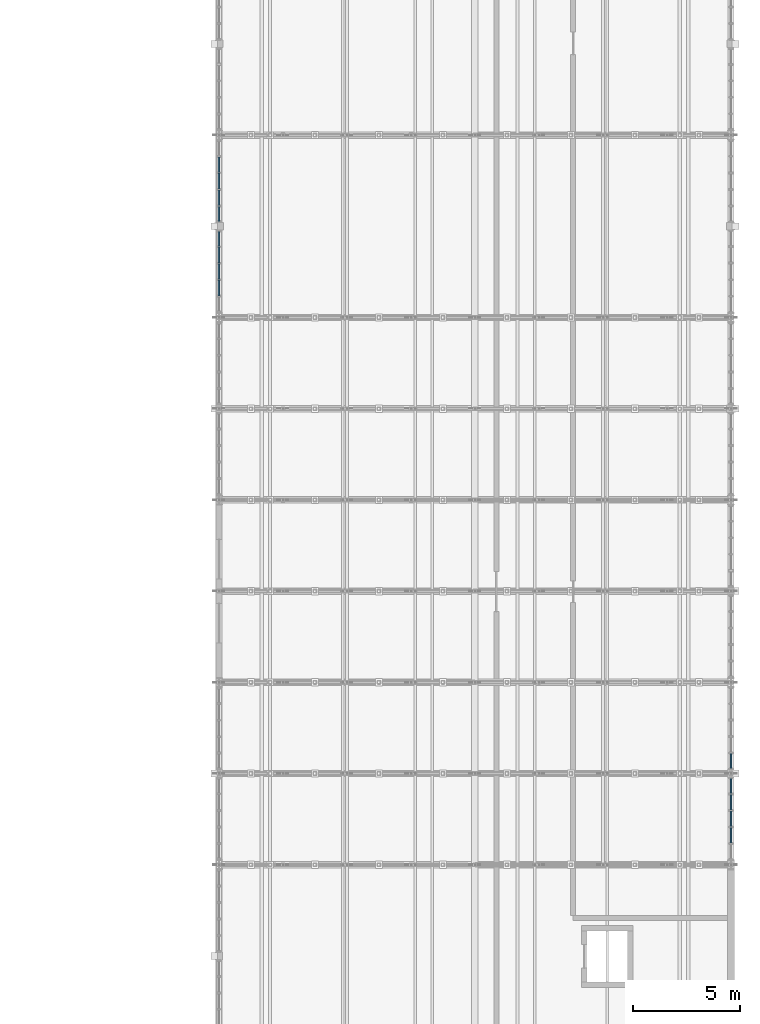
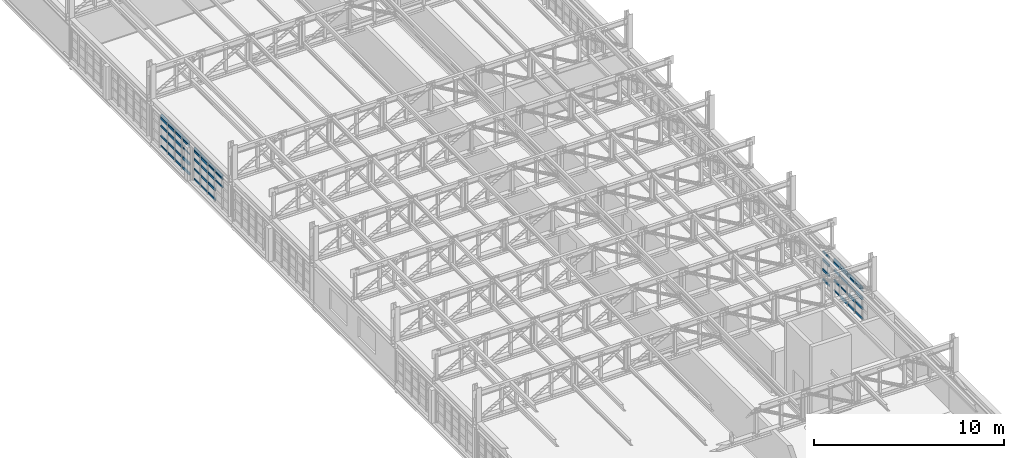
# One storey, part 78 of 128: 62 members, 4 elements without a shape of their own.
"""IFC4 building model written with IfcOpenShell, lengths in metres."""

from ifc_helpers import new_model, si_unit, direction, frame, origin, origin_2d, place, context, subcontext, project, spatial, rectangle, extrude, material, material_profile, profile_set, type_object, element, aggregate, save


model = new_model("IFC4")

# Units and contexts
model_context = context("Model", 3, precision=1e-05, world=origin(), true_north=direction((0.0, 1.0)))
body_context = subcontext(model_context, "Body", "Model", "MODEL_VIEW")
ifc_project = project(units=[si_unit("LENGTHUNIT", "METRE"), si_unit("AREAUNIT", "SQUARE_METRE"), si_unit("VOLUMEUNIT", "CUBIC_METRE"), si_unit("PLANEANGLEUNIT", "RADIAN"), si_unit("MASSUNIT", "GRAM", prefix="KILO")], contexts=[model_context])

# Site, building, storey
site_placement = place(None, origin())
site = spatial("IfcSite", under=ifc_project, at=site_placement, CompositionType="ELEMENT")
building_placement = place(site_placement, origin())
building = spatial("IfcBuilding", under=site, at=building_placement, Name="Serraforn Aerial Cableway Station", CompositionType="ELEMENT")
storey_placement = place(building_placement, frame((0.0, 0.0, 9.0)))
storey = spatial("IfcBuildingStorey", under=building, at=storey_placement, Name="L02", CompositionType="ELEMENT", Elevation=9.0)

# Curtain wall, members
ifc_material_1 = material(Name="Anodised bronze unitised curtain wall")
curtain_wall_type_1 = type_object("IfcCurtainWallType", Name="CW-SYS-27", PredefinedType="USERDEFINED", material=ifc_material_1)
curtain_wall_1_placement = place(storey_placement, origin())
curtain_wall_1 = element("IfcCurtainWall", 1, at=curtain_wall_1_placement, inside=storey, type_object=curtain_wall_type_1, Name="Unitised Curtain Wall CW-EG-L02-E3A", ObjectType="UNITISED CURTAIN WALL", PredefinedType="USERDEFINED")
ifc_material_2 = material(Name="Anodised bronze extruded aluminium", Category="aluminium")
ifc_material_profile_1 = material_profile(ifc_material_2, rectangle(XDim=0.054931640625, YDim=0.110107421875, at=origin_2d()), Name="CW TRANSOM 55x110")
ifc_profile_set_1 = profile_set([ifc_material_profile_1], Name="Anodised bronze extruded aluminium")
member_type_1 = type_object("IfcMemberType", Name="CW-TRN-1", PredefinedType="USERDEFINED", material=ifc_profile_set_1)
member_1_placement = place(storey_placement, frame((168.0, 63.725341796875, 1.865478515625), z_axis=(0.0, 1.0, 0.0), x_axis=(-1.0, 0.0, 0.0)))
member_1 = element("IfcMember", 2, at=member_1_placement, type_object=member_type_1, Name="Curtain Wall Transom CW-EG-L02-E3A-T2-4", ObjectType="TRANSOM", PredefinedType="USERDEFINED", context=body_context, shape_type="SweptSolid", body=[
    extrude(rectangle(XDim=0.054931640625, YDim=0.110107421875, at=origin_2d()), origin(), (0.0, 0.0, 1.0), 0.716064453125),
])
member_2_placement = place(storey_placement, frame((168.0, 64.502197265625, 1.356689453125), z_axis=(0.0, 1.0, 0.0), x_axis=(-1.0, 0.0, 0.0)))
member_2 = element("IfcMember", 3, at=member_2_placement, type_object=member_type_1, Name="Curtain Wall Transom CW-EG-L02-E3A-T3-3", ObjectType="TRANSOM", PredefinedType="USERDEFINED", context=body_context, shape_type="SweptSolid", body=[
    extrude(rectangle(XDim=0.054931640625, YDim=0.110107421875, at=origin_2d()), origin(), (0.0, 0.0, 1.0), 0.7109375),
])
member_3_placement = place(storey_placement, frame((168.0, 65.279296875, 0.720703125), z_axis=(0.0, 1.0, 0.0), x_axis=(-1.0, 0.0, 0.0)))
member_3 = element("IfcMember", 4, at=member_3_placement, type_object=member_type_1, Name="Curtain Wall Transom CW-EG-L02-E3A-T4-2", ObjectType="TRANSOM", PredefinedType="USERDEFINED", context=body_context, shape_type="SweptSolid", body=[
    extrude(rectangle(XDim=0.054931640625, YDim=0.110107421875, at=origin_2d()), origin(), (0.0, 0.0, 1.0), 0.705810546875),
])
member_4_placement = place(storey_placement, frame((168.0, 66.05615234375, 0.084716796875), z_axis=(0.0, 1.0, 0.0), x_axis=(-1.0, 0.0, 0.0)))
member_4 = element("IfcMember", 5, at=member_4_placement, type_object=member_type_1, Name="Curtain Wall Transom CW-EG-L02-E3A-T5-1", ObjectType="TRANSOM", PredefinedType="USERDEFINED", context=body_context, shape_type="SweptSolid", body=[
    extrude(rectangle(XDim=0.054931640625, YDim=0.110107421875, at=origin_2d()), origin(), (0.0, 0.0, 1.0), 0.685791015625),
])

# Curtain wall, member
curtain_wall_type_2 = type_object("IfcCurtainWallType", Name="CW-SYS-28", PredefinedType="USERDEFINED", material=ifc_material_1)
curtain_wall_2_placement = place(storey_placement, origin())
curtain_wall_2 = element("IfcCurtainWall", 6, at=curtain_wall_2_placement, inside=storey, type_object=curtain_wall_type_2, Name="Unitised Curtain Wall CW-EG-L02-E3B", ObjectType="UNITISED CURTAIN WALL", PredefinedType="USERDEFINED")
member_5_placement = place(storey_placement, frame((168.0, 67.212890625, 1.865478515625), z_axis=(0.0, 1.0, 0.0), x_axis=(-1.0, 0.0, 0.0)))
member_5 = element("IfcMember", 7, at=member_5_placement, type_object=member_type_1, Name="Curtain Wall Transom CW-EG-L02-E3B-T1-4", ObjectType="TRANSOM", PredefinedType="USERDEFINED", context=body_context, shape_type="SweptSolid", body=[
    extrude(rectangle(XDim=0.054931640625, YDim=0.110107421875, at=origin_2d()), origin(), (0.0, 0.0, 1.0), 0.68603515625),
])

# Curtain wall, members
curtain_wall_type_3 = type_object("IfcCurtainWallType", Name="CW-SYS-7", PredefinedType="USERDEFINED", material=ifc_material_1)
curtain_wall_3_placement = place(storey_placement, origin())
curtain_wall_3 = element("IfcCurtainWall", 8, at=curtain_wall_3_placement, inside=storey, type_object=curtain_wall_type_3, Name="Unitised Curtain Wall CW-EG-L02-W6A", ObjectType="UNITISED CURTAIN WALL", PredefinedType="USERDEFINED")
member_6_placement = place(storey_placement, frame((144.0, 95.8671875, 0.084716796875), z_axis=(0.0, -1.0, 0.0), x_axis=(1.0, 0.0, 0.0)))
member_6 = element("IfcMember", 9, at=member_6_placement, type_object=member_type_1, Name="Curtain Wall Transom CW-EG-L02-W6A-T2-1", ObjectType="TRANSOM", PredefinedType="USERDEFINED", context=body_context, shape_type="SweptSolid", body=[
    extrude(rectangle(XDim=0.054931640625, YDim=0.110107421875, at=origin_2d()), origin(), (0.0, 0.0, 1.0), 0.71337890625),
])
member_7_placement = place(storey_placement, frame((144.0, 95.102783203125, 2.03515625), z_axis=(0.0, -1.0, 0.0), x_axis=(1.0, 0.0, 0.0)))
member_7 = element("IfcMember", 10, at=member_7_placement, type_object=member_type_1, Name="Curtain Wall Transom CW-EG-L02-W6A-T3-5", ObjectType="TRANSOM", PredefinedType="USERDEFINED", context=body_context, shape_type="SweptSolid", body=[
    extrude(rectangle(XDim=0.054931640625, YDim=0.110107421875, at=origin_2d()), origin(), (0.0, 0.0, 1.0), 0.720947265625),
])
member_8_placement = place(storey_placement, frame((144.0, 94.32568359375, 1.865478515625), z_axis=(0.0, -1.0, 0.0), x_axis=(1.0, 0.0, 0.0)))
member_8 = element("IfcMember", 11, at=member_8_placement, type_object=member_type_1, Name="Curtain Wall Transom CW-EG-L02-W6A-T4-4", ObjectType="TRANSOM", PredefinedType="USERDEFINED", context=body_context, shape_type="SweptSolid", body=[
    extrude(rectangle(XDim=0.054931640625, YDim=0.110107421875, at=origin_2d()), origin(), (0.0, 0.0, 1.0), 0.7158203125),
])
member_9_placement = place(storey_placement, frame((144.0, 93.548828125, 1.356689453125), z_axis=(0.0, -1.0, 0.0), x_axis=(1.0, 0.0, 0.0)))
member_9 = element("IfcMember", 12, at=member_9_placement, type_object=member_type_1, Name="Curtain Wall Transom CW-EG-L02-W6A-T5-3", ObjectType="TRANSOM", PredefinedType="USERDEFINED", context=body_context, shape_type="SweptSolid", body=[
    extrude(rectangle(XDim=0.054931640625, YDim=0.110107421875, at=origin_2d()), origin(), (0.0, 0.0, 1.0), 0.67578125),
])

curtain_wall_type_4 = type_object("IfcCurtainWallType", Name="CW-SYS-8", PredefinedType="USERDEFINED", material=ifc_material_1)
curtain_wall_4_placement = place(storey_placement, origin())
curtain_wall_4 = element("IfcCurtainWall", 13, at=curtain_wall_4_placement, inside=storey, type_object=curtain_wall_type_4, Name="Unitised Curtain Wall CW-EG-L02-W6B", ObjectType="UNITISED CURTAIN WALL", PredefinedType="USERDEFINED")
member_10_placement = place(storey_placement, frame((144.0, 92.3720703125, 0.084716796875), z_axis=(0.0, -1.0, 0.0), x_axis=(1.0, 0.0, 0.0)))
member_10 = element("IfcMember", 14, at=member_10_placement, type_object=member_type_1, Name="Curtain Wall Transom CW-EG-L02-W6B-T1-1", ObjectType="TRANSOM", PredefinedType="USERDEFINED", context=body_context, shape_type="SweptSolid", body=[
    extrude(rectangle(XDim=0.054931640625, YDim=0.110107421875, at=origin_2d()), origin(), (0.0, 0.0, 1.0), 0.676025390625),
])
member_11_placement = place(storey_placement, frame((144.0, 91.64501953125, 2.03515625), z_axis=(0.0, -1.0, 0.0), x_axis=(1.0, 0.0, 0.0)))
member_11 = element("IfcMember", 15, at=member_11_placement, type_object=member_type_1, Name="Curtain Wall Transom CW-EG-L02-W6B-T2-5", ObjectType="TRANSOM", PredefinedType="USERDEFINED", context=body_context, shape_type="SweptSolid", body=[
    extrude(rectangle(XDim=0.054931640625, YDim=0.110107421875, at=origin_2d()), origin(), (0.0, 0.0, 1.0), 0.720703125),
])
member_12_placement = place(storey_placement, frame((144.0, 90.8681640625, 1.865478515625), z_axis=(0.0, -1.0, 0.0), x_axis=(1.0, 0.0, 0.0)))
member_12 = element("IfcMember", 16, at=member_12_placement, type_object=member_type_1, Name="Curtain Wall Transom CW-EG-L02-W6B-T3-4", ObjectType="TRANSOM", PredefinedType="USERDEFINED", context=body_context, shape_type="SweptSolid", body=[
    extrude(rectangle(XDim=0.054931640625, YDim=0.110107421875, at=origin_2d()), origin(), (0.0, 0.0, 1.0), 0.7158203125),
])
member_13_placement = place(storey_placement, frame((144.0, 90.09130859375, 1.356689453125), z_axis=(0.0, -1.0, 0.0), x_axis=(1.0, 0.0, 0.0)))
member_13 = element("IfcMember", 17, at=member_13_placement, type_object=member_type_1, Name="Curtain Wall Transom CW-EG-L02-W6B-T4-3", ObjectType="TRANSOM", PredefinedType="USERDEFINED", context=body_context, shape_type="SweptSolid", body=[
    extrude(rectangle(XDim=0.054931640625, YDim=0.110107421875, at=origin_2d()), origin(), (0.0, 0.0, 1.0), 0.7109375),
])

# Member
ifc_material_profile_2 = material_profile(ifc_material_2, rectangle(XDim=0.06005859375, YDim=0.1201171875, at=origin_2d()), Name="CW TRANSOM 60x120")
ifc_profile_set_2 = profile_set([ifc_material_profile_2], Name="Anodised bronze extruded aluminium")
member_type_2 = type_object("IfcMemberType", Name="CW-TRN-2", PredefinedType="USERDEFINED", material=ifc_profile_set_2)
member_14_placement = place(storey_placement, frame((168.0, 63.725341796875, 2.03515625), z_axis=(0.0, 1.0, 0.0), x_axis=(-1.0, 0.0, 0.0)))
member_14 = element("IfcMember", 18, at=member_14_placement, type_object=member_type_2, Name="Curtain Wall Transom CW-EG-L02-E3A-T2-5", ObjectType="TRANSOM", PredefinedType="USERDEFINED", context=body_context, shape_type="SweptSolid", body=[
    extrude(rectangle(XDim=0.06005859375, YDim=0.1201171875, at=origin_2d()), origin(), (0.0, 0.0, 1.0), 0.716064453125),
])

member_15_placement = place(storey_placement, frame((168.0, 64.502197265625, 1.865478515625), z_axis=(0.0, 1.0, 0.0), x_axis=(-1.0, 0.0, 0.0)))
member_15 = element("IfcMember", 19, at=member_15_placement, type_object=member_type_2, Name="Curtain Wall Transom CW-EG-L02-E3A-T3-4", ObjectType="TRANSOM", PredefinedType="USERDEFINED", context=body_context, shape_type="SweptSolid", body=[
    extrude(rectangle(XDim=0.06005859375, YDim=0.1201171875, at=origin_2d()), origin(), (0.0, 0.0, 1.0), 0.7109375),
])

member_16_placement = place(storey_placement, frame((168.0, 65.279296875, 1.356689453125), z_axis=(0.0, 1.0, 0.0), x_axis=(-1.0, 0.0, 0.0)))
member_16 = element("IfcMember", 20, at=member_16_placement, type_object=member_type_2, Name="Curtain Wall Transom CW-EG-L02-E3A-T4-3", ObjectType="TRANSOM", PredefinedType="USERDEFINED", context=body_context, shape_type="SweptSolid", body=[
    extrude(rectangle(XDim=0.06005859375, YDim=0.1201171875, at=origin_2d()), origin(), (0.0, 0.0, 1.0), 0.705810546875),
])

member_17_placement = place(storey_placement, frame((168.0, 66.05615234375, 0.720703125), z_axis=(0.0, 1.0, 0.0), x_axis=(-1.0, 0.0, 0.0)))
member_17 = element("IfcMember", 21, at=member_17_placement, type_object=member_type_2, Name="Curtain Wall Transom CW-EG-L02-E3A-T5-2", ObjectType="TRANSOM", PredefinedType="USERDEFINED", context=body_context, shape_type="SweptSolid", body=[
    extrude(rectangle(XDim=0.06005859375, YDim=0.1201171875, at=origin_2d()), origin(), (0.0, 0.0, 1.0), 0.685791015625),
])

member_18_placement = place(storey_placement, frame((144.0, 95.8671875, 0.720703125), z_axis=(0.0, -1.0, 0.0), x_axis=(1.0, 0.0, 0.0)))
member_18 = element("IfcMember", 22, at=member_18_placement, type_object=member_type_2, Name="Curtain Wall Transom CW-EG-L02-W6A-T2-2", ObjectType="TRANSOM", PredefinedType="USERDEFINED", context=body_context, shape_type="SweptSolid", body=[
    extrude(rectangle(XDim=0.06005859375, YDim=0.1201171875, at=origin_2d()), origin(), (0.0, 0.0, 1.0), 0.71337890625),
])

member_19_placement = place(storey_placement, frame((144.0, 95.102783203125, 0.084716796875), z_axis=(0.0, -1.0, 0.0), x_axis=(1.0, 0.0, 0.0)))
member_19 = element("IfcMember", 23, at=member_19_placement, type_object=member_type_2, Name="Curtain Wall Transom CW-EG-L02-W6A-T3-1", ObjectType="TRANSOM", PredefinedType="USERDEFINED", context=body_context, shape_type="SweptSolid", body=[
    extrude(rectangle(XDim=0.06005859375, YDim=0.1201171875, at=origin_2d()), origin(), (0.0, 0.0, 1.0), 0.720947265625),
])

member_20_placement = place(storey_placement, frame((144.0, 94.32568359375, 2.03515625), z_axis=(0.0, -1.0, 0.0), x_axis=(1.0, 0.0, 0.0)))
member_20 = element("IfcMember", 24, at=member_20_placement, type_object=member_type_2, Name="Curtain Wall Transom CW-EG-L02-W6A-T4-5", ObjectType="TRANSOM", PredefinedType="USERDEFINED", context=body_context, shape_type="SweptSolid", body=[
    extrude(rectangle(XDim=0.06005859375, YDim=0.1201171875, at=origin_2d()), origin(), (0.0, 0.0, 1.0), 0.7158203125),
])

member_21_placement = place(storey_placement, frame((144.0, 93.548828125, 1.865478515625), z_axis=(0.0, -1.0, 0.0), x_axis=(1.0, 0.0, 0.0)))
member_21 = element("IfcMember", 25, at=member_21_placement, type_object=member_type_2, Name="Curtain Wall Transom CW-EG-L02-W6A-T5-4", ObjectType="TRANSOM", PredefinedType="USERDEFINED", context=body_context, shape_type="SweptSolid", body=[
    extrude(rectangle(XDim=0.06005859375, YDim=0.1201171875, at=origin_2d()), origin(), (0.0, 0.0, 1.0), 0.67578125),
])

member_22_placement = place(storey_placement, frame((144.0, 92.3720703125, 0.720703125), z_axis=(0.0, -1.0, 0.0), x_axis=(1.0, 0.0, 0.0)))
member_22 = element("IfcMember", 26, at=member_22_placement, type_object=member_type_2, Name="Curtain Wall Transom CW-EG-L02-W6B-T1-2", ObjectType="TRANSOM", PredefinedType="USERDEFINED", context=body_context, shape_type="SweptSolid", body=[
    extrude(rectangle(XDim=0.06005859375, YDim=0.1201171875, at=origin_2d()), origin(), (0.0, 0.0, 1.0), 0.676025390625),
])

member_23_placement = place(storey_placement, frame((144.0, 91.64501953125, 0.084716796875), z_axis=(0.0, -1.0, 0.0), x_axis=(1.0, 0.0, 0.0)))
member_23 = element("IfcMember", 27, at=member_23_placement, type_object=member_type_2, Name="Curtain Wall Transom CW-EG-L02-W6B-T2-1", ObjectType="TRANSOM", PredefinedType="USERDEFINED", context=body_context, shape_type="SweptSolid", body=[
    extrude(rectangle(XDim=0.06005859375, YDim=0.1201171875, at=origin_2d()), origin(), (0.0, 0.0, 1.0), 0.720703125),
])

member_24_placement = place(storey_placement, frame((144.0, 90.8681640625, 2.03515625), z_axis=(0.0, -1.0, 0.0), x_axis=(1.0, 0.0, 0.0)))
member_24 = element("IfcMember", 28, at=member_24_placement, type_object=member_type_2, Name="Curtain Wall Transom CW-EG-L02-W6B-T3-5", ObjectType="TRANSOM", PredefinedType="USERDEFINED", context=body_context, shape_type="SweptSolid", body=[
    extrude(rectangle(XDim=0.06005859375, YDim=0.1201171875, at=origin_2d()), origin(), (0.0, 0.0, 1.0), 0.7158203125),
])

member_25_placement = place(storey_placement, frame((144.0, 90.09130859375, 1.865478515625), z_axis=(0.0, -1.0, 0.0), x_axis=(1.0, 0.0, 0.0)))
member_25 = element("IfcMember", 29, at=member_25_placement, type_object=member_type_2, Name="Curtain Wall Transom CW-EG-L02-W6B-T4-4", ObjectType="TRANSOM", PredefinedType="USERDEFINED", context=body_context, shape_type="SweptSolid", body=[
    extrude(rectangle(XDim=0.06005859375, YDim=0.1201171875, at=origin_2d()), origin(), (0.0, 0.0, 1.0), 0.7109375),
])

ifc_material_profile_3 = material_profile(ifc_material_2, rectangle(XDim=0.06494140625, YDim=0.135009765625, at=origin_2d()), Name="CW TRANSOM 65x135")
ifc_profile_set_3 = profile_set([ifc_material_profile_3], Name="Anodised bronze extruded aluminium")
member_type_3 = type_object("IfcMemberType", Name="CW-TRN-3", PredefinedType="USERDEFINED", material=ifc_profile_set_3)
member_26_placement = place(storey_placement, frame((168.0, 63.725341796875, 0.084716796875), z_axis=(0.0, 1.0, 0.0), x_axis=(-1.0, 0.0, 0.0)))
member_26 = element("IfcMember", 30, at=member_26_placement, type_object=member_type_3, Name="Curtain Wall Transom CW-EG-L02-E3A-T2-1", ObjectType="TRANSOM", PredefinedType="USERDEFINED", context=body_context, shape_type="SweptSolid", body=[
    extrude(rectangle(XDim=0.06494140625, YDim=0.135009765625, at=origin_2d()), origin(), (0.0, 0.0, 1.0), 0.716064453125),
])

member_27_placement = place(storey_placement, frame((168.0, 64.502197265625, 2.03515625), z_axis=(0.0, 1.0, 0.0), x_axis=(-1.0, 0.0, 0.0)))
member_27 = element("IfcMember", 31, at=member_27_placement, type_object=member_type_3, Name="Curtain Wall Transom CW-EG-L02-E3A-T3-5", ObjectType="TRANSOM", PredefinedType="USERDEFINED", context=body_context, shape_type="SweptSolid", body=[
    extrude(rectangle(XDim=0.06494140625, YDim=0.135009765625, at=origin_2d()), origin(), (0.0, 0.0, 1.0), 0.7109375),
])

member_28_placement = place(storey_placement, frame((168.0, 65.279296875, 1.865478515625), z_axis=(0.0, 1.0, 0.0), x_axis=(-1.0, 0.0, 0.0)))
member_28 = element("IfcMember", 32, at=member_28_placement, type_object=member_type_3, Name="Curtain Wall Transom CW-EG-L02-E3A-T4-4", ObjectType="TRANSOM", PredefinedType="USERDEFINED", context=body_context, shape_type="SweptSolid", body=[
    extrude(rectangle(XDim=0.06494140625, YDim=0.135009765625, at=origin_2d()), origin(), (0.0, 0.0, 1.0), 0.705810546875),
])

member_29_placement = place(storey_placement, frame((168.0, 66.05615234375, 1.356689453125), z_axis=(0.0, 1.0, 0.0), x_axis=(-1.0, 0.0, 0.0)))
member_29 = element("IfcMember", 33, at=member_29_placement, type_object=member_type_3, Name="Curtain Wall Transom CW-EG-L02-E3A-T5-3", ObjectType="TRANSOM", PredefinedType="USERDEFINED", context=body_context, shape_type="SweptSolid", body=[
    extrude(rectangle(XDim=0.06494140625, YDim=0.135009765625, at=origin_2d()), origin(), (0.0, 0.0, 1.0), 0.685791015625),
])

member_30_placement = place(storey_placement, frame((168.0, 67.212890625, 0.084716796875), z_axis=(0.0, 1.0, 0.0), x_axis=(-1.0, 0.0, 0.0)))
member_30 = element("IfcMember", 34, at=member_30_placement, type_object=member_type_3, Name="Curtain Wall Transom CW-EG-L02-E3B-T1-1", ObjectType="TRANSOM", PredefinedType="USERDEFINED", context=body_context, shape_type="SweptSolid", body=[
    extrude(rectangle(XDim=0.06494140625, YDim=0.135009765625, at=origin_2d()), origin(), (0.0, 0.0, 1.0), 0.68603515625),
])

member_31_placement = place(storey_placement, frame((144.0, 95.8671875, 1.356689453125), z_axis=(0.0, -1.0, 0.0), x_axis=(1.0, 0.0, 0.0)))
member_31 = element("IfcMember", 35, at=member_31_placement, type_object=member_type_3, Name="Curtain Wall Transom CW-EG-L02-W6A-T2-3", ObjectType="TRANSOM", PredefinedType="USERDEFINED", context=body_context, shape_type="SweptSolid", body=[
    extrude(rectangle(XDim=0.06494140625, YDim=0.135009765625, at=origin_2d()), origin(), (0.0, 0.0, 1.0), 0.71337890625),
])

member_32_placement = place(storey_placement, frame((144.0, 95.102783203125, 0.720703125), z_axis=(0.0, -1.0, 0.0), x_axis=(1.0, 0.0, 0.0)))
member_32 = element("IfcMember", 36, at=member_32_placement, type_object=member_type_3, Name="Curtain Wall Transom CW-EG-L02-W6A-T3-2", ObjectType="TRANSOM", PredefinedType="USERDEFINED", context=body_context, shape_type="SweptSolid", body=[
    extrude(rectangle(XDim=0.06494140625, YDim=0.135009765625, at=origin_2d()), origin(), (0.0, 0.0, 1.0), 0.720947265625),
])

member_33_placement = place(storey_placement, frame((144.0, 94.32568359375, 0.084716796875), z_axis=(0.0, -1.0, 0.0), x_axis=(1.0, 0.0, 0.0)))
member_33 = element("IfcMember", 37, at=member_33_placement, type_object=member_type_3, Name="Curtain Wall Transom CW-EG-L02-W6A-T4-1", ObjectType="TRANSOM", PredefinedType="USERDEFINED", context=body_context, shape_type="SweptSolid", body=[
    extrude(rectangle(XDim=0.06494140625, YDim=0.135009765625, at=origin_2d()), origin(), (0.0, 0.0, 1.0), 0.7158203125),
])

member_34_placement = place(storey_placement, frame((144.0, 93.548828125, 2.03515625), z_axis=(0.0, -1.0, 0.0), x_axis=(1.0, 0.0, 0.0)))
member_34 = element("IfcMember", 38, at=member_34_placement, type_object=member_type_3, Name="Curtain Wall Transom CW-EG-L02-W6A-T5-5", ObjectType="TRANSOM", PredefinedType="USERDEFINED", context=body_context, shape_type="SweptSolid", body=[
    extrude(rectangle(XDim=0.06494140625, YDim=0.135009765625, at=origin_2d()), origin(), (0.0, 0.0, 1.0), 0.67578125),
])

member_35_placement = place(storey_placement, frame((144.0, 92.3720703125, 1.356689453125), z_axis=(0.0, -1.0, 0.0), x_axis=(1.0, 0.0, 0.0)))
member_35 = element("IfcMember", 39, at=member_35_placement, type_object=member_type_3, Name="Curtain Wall Transom CW-EG-L02-W6B-T1-3", ObjectType="TRANSOM", PredefinedType="USERDEFINED", context=body_context, shape_type="SweptSolid", body=[
    extrude(rectangle(XDim=0.06494140625, YDim=0.135009765625, at=origin_2d()), origin(), (0.0, 0.0, 1.0), 0.676025390625),
])

member_36_placement = place(storey_placement, frame((144.0, 91.64501953125, 0.720703125), z_axis=(0.0, -1.0, 0.0), x_axis=(1.0, 0.0, 0.0)))
member_36 = element("IfcMember", 40, at=member_36_placement, type_object=member_type_3, Name="Curtain Wall Transom CW-EG-L02-W6B-T2-2", ObjectType="TRANSOM", PredefinedType="USERDEFINED", context=body_context, shape_type="SweptSolid", body=[
    extrude(rectangle(XDim=0.06494140625, YDim=0.135009765625, at=origin_2d()), origin(), (0.0, 0.0, 1.0), 0.720703125),
])

member_37_placement = place(storey_placement, frame((144.0, 90.8681640625, 0.084716796875), z_axis=(0.0, -1.0, 0.0), x_axis=(1.0, 0.0, 0.0)))
member_37 = element("IfcMember", 41, at=member_37_placement, type_object=member_type_3, Name="Curtain Wall Transom CW-EG-L02-W6B-T3-1", ObjectType="TRANSOM", PredefinedType="USERDEFINED", context=body_context, shape_type="SweptSolid", body=[
    extrude(rectangle(XDim=0.06494140625, YDim=0.135009765625, at=origin_2d()), origin(), (0.0, 0.0, 1.0), 0.7158203125),
])

member_38_placement = place(storey_placement, frame((144.0, 90.09130859375, 2.03515625), z_axis=(0.0, -1.0, 0.0), x_axis=(1.0, 0.0, 0.0)))
member_38 = element("IfcMember", 42, at=member_38_placement, type_object=member_type_3, Name="Curtain Wall Transom CW-EG-L02-W6B-T4-5", ObjectType="TRANSOM", PredefinedType="USERDEFINED", context=body_context, shape_type="SweptSolid", body=[
    extrude(rectangle(XDim=0.06494140625, YDim=0.135009765625, at=origin_2d()), origin(), (0.0, 0.0, 1.0), 0.7109375),
])

ifc_material_profile_4 = material_profile(ifc_material_2, rectangle(XDim=0.070068359375, YDim=0.14990234375, at=origin_2d()), Name="CW TRANSOM 70x150")
ifc_profile_set_4 = profile_set([ifc_material_profile_4], Name="Anodised bronze extruded aluminium")
member_type_4 = type_object("IfcMemberType", Name="CW-TRN-4", PredefinedType="USERDEFINED", material=ifc_profile_set_4)
member_39_placement = place(storey_placement, frame((168.0, 63.725341796875, 0.720703125), z_axis=(0.0, 1.0, 0.0), x_axis=(-1.0, 0.0, 0.0)))
member_39 = element("IfcMember", 43, at=member_39_placement, type_object=member_type_4, Name="Curtain Wall Transom CW-EG-L02-E3A-T2-2", ObjectType="TRANSOM", PredefinedType="USERDEFINED", context=body_context, shape_type="SweptSolid", body=[
    extrude(rectangle(XDim=0.070068359375, YDim=0.14990234375, at=origin_2d()), origin(), (0.0, 0.0, 1.0), 0.716064453125),
])

member_40_placement = place(storey_placement, frame((168.0, 64.502197265625, 0.084716796875), z_axis=(0.0, 1.0, 0.0), x_axis=(-1.0, 0.0, 0.0)))
member_40 = element("IfcMember", 44, at=member_40_placement, type_object=member_type_4, Name="Curtain Wall Transom CW-EG-L02-E3A-T3-1", ObjectType="TRANSOM", PredefinedType="USERDEFINED", context=body_context, shape_type="SweptSolid", body=[
    extrude(rectangle(XDim=0.070068359375, YDim=0.14990234375, at=origin_2d()), origin(), (0.0, 0.0, 1.0), 0.7109375),
])

member_41_placement = place(storey_placement, frame((168.0, 65.279296875, 2.03515625), z_axis=(0.0, 1.0, 0.0), x_axis=(-1.0, 0.0, 0.0)))
member_41 = element("IfcMember", 45, at=member_41_placement, type_object=member_type_4, Name="Curtain Wall Transom CW-EG-L02-E3A-T4-5", ObjectType="TRANSOM", PredefinedType="USERDEFINED", context=body_context, shape_type="SweptSolid", body=[
    extrude(rectangle(XDim=0.070068359375, YDim=0.14990234375, at=origin_2d()), origin(), (0.0, 0.0, 1.0), 0.705810546875),
])

member_42_placement = place(storey_placement, frame((168.0, 66.05615234375, 1.865478515625), z_axis=(0.0, 1.0, 0.0), x_axis=(-1.0, 0.0, 0.0)))
member_42 = element("IfcMember", 46, at=member_42_placement, type_object=member_type_4, Name="Curtain Wall Transom CW-EG-L02-E3A-T5-4", ObjectType="TRANSOM", PredefinedType="USERDEFINED", context=body_context, shape_type="SweptSolid", body=[
    extrude(rectangle(XDim=0.070068359375, YDim=0.14990234375, at=origin_2d()), origin(), (0.0, 0.0, 1.0), 0.685791015625),
])

member_43_placement = place(storey_placement, frame((168.0, 67.212890625, 0.720703125), z_axis=(0.0, 1.0, 0.0), x_axis=(-1.0, 0.0, 0.0)))
member_43 = element("IfcMember", 47, at=member_43_placement, type_object=member_type_4, Name="Curtain Wall Transom CW-EG-L02-E3B-T1-2", ObjectType="TRANSOM", PredefinedType="USERDEFINED", context=body_context, shape_type="SweptSolid", body=[
    extrude(rectangle(XDim=0.070068359375, YDim=0.14990234375, at=origin_2d()), origin(), (0.0, 0.0, 1.0), 0.68603515625),
])

member_44_placement = place(storey_placement, frame((144.0, 95.8671875, 1.865478515625), z_axis=(0.0, -1.0, 0.0), x_axis=(1.0, 0.0, 0.0)))
member_44 = element("IfcMember", 48, at=member_44_placement, type_object=member_type_4, Name="Curtain Wall Transom CW-EG-L02-W6A-T2-4", ObjectType="TRANSOM", PredefinedType="USERDEFINED", context=body_context, shape_type="SweptSolid", body=[
    extrude(rectangle(XDim=0.070068359375, YDim=0.14990234375, at=origin_2d()), origin(), (0.0, 0.0, 1.0), 0.71337890625),
])

member_45_placement = place(storey_placement, frame((144.0, 95.102783203125, 1.356689453125), z_axis=(0.0, -1.0, 0.0), x_axis=(1.0, 0.0, 0.0)))
member_45 = element("IfcMember", 49, at=member_45_placement, type_object=member_type_4, Name="Curtain Wall Transom CW-EG-L02-W6A-T3-3", ObjectType="TRANSOM", PredefinedType="USERDEFINED", context=body_context, shape_type="SweptSolid", body=[
    extrude(rectangle(XDim=0.070068359375, YDim=0.14990234375, at=origin_2d()), origin(), (0.0, 0.0, 1.0), 0.720947265625),
])

member_46_placement = place(storey_placement, frame((144.0, 94.32568359375, 0.720703125), z_axis=(0.0, -1.0, 0.0), x_axis=(1.0, 0.0, 0.0)))
member_46 = element("IfcMember", 50, at=member_46_placement, type_object=member_type_4, Name="Curtain Wall Transom CW-EG-L02-W6A-T4-2", ObjectType="TRANSOM", PredefinedType="USERDEFINED", context=body_context, shape_type="SweptSolid", body=[
    extrude(rectangle(XDim=0.070068359375, YDim=0.14990234375, at=origin_2d()), origin(), (0.0, 0.0, 1.0), 0.7158203125),
])

member_47_placement = place(storey_placement, frame((144.0, 93.548828125, 0.084716796875), z_axis=(0.0, -1.0, 0.0), x_axis=(1.0, 0.0, 0.0)))
member_47 = element("IfcMember", 51, at=member_47_placement, type_object=member_type_4, Name="Curtain Wall Transom CW-EG-L02-W6A-T5-1", ObjectType="TRANSOM", PredefinedType="USERDEFINED", context=body_context, shape_type="SweptSolid", body=[
    extrude(rectangle(XDim=0.070068359375, YDim=0.14990234375, at=origin_2d()), origin(), (0.0, 0.0, 1.0), 0.67578125),
])

member_48_placement = place(storey_placement, frame((144.0, 92.3720703125, 1.865478515625), z_axis=(0.0, -1.0, 0.0), x_axis=(1.0, 0.0, 0.0)))
member_48 = element("IfcMember", 52, at=member_48_placement, type_object=member_type_4, Name="Curtain Wall Transom CW-EG-L02-W6B-T1-4", ObjectType="TRANSOM", PredefinedType="USERDEFINED", context=body_context, shape_type="SweptSolid", body=[
    extrude(rectangle(XDim=0.070068359375, YDim=0.14990234375, at=origin_2d()), origin(), (0.0, 0.0, 1.0), 0.676025390625),
])

member_49_placement = place(storey_placement, frame((144.0, 91.64501953125, 1.356689453125), z_axis=(0.0, -1.0, 0.0), x_axis=(1.0, 0.0, 0.0)))
member_49 = element("IfcMember", 53, at=member_49_placement, type_object=member_type_4, Name="Curtain Wall Transom CW-EG-L02-W6B-T2-3", ObjectType="TRANSOM", PredefinedType="USERDEFINED", context=body_context, shape_type="SweptSolid", body=[
    extrude(rectangle(XDim=0.070068359375, YDim=0.14990234375, at=origin_2d()), origin(), (0.0, 0.0, 1.0), 0.720703125),
])

member_50_placement = place(storey_placement, frame((144.0, 90.8681640625, 0.720703125), z_axis=(0.0, -1.0, 0.0), x_axis=(1.0, 0.0, 0.0)))
member_50 = element("IfcMember", 54, at=member_50_placement, type_object=member_type_4, Name="Curtain Wall Transom CW-EG-L02-W6B-T3-2", ObjectType="TRANSOM", PredefinedType="USERDEFINED", context=body_context, shape_type="SweptSolid", body=[
    extrude(rectangle(XDim=0.070068359375, YDim=0.14990234375, at=origin_2d()), origin(), (0.0, 0.0, 1.0), 0.7158203125),
])

ifc_material_profile_5 = material_profile(ifc_material_2, rectangle(XDim=0.074951171875, YDim=0.1650390625, at=origin_2d()), Name="CW TRANSOM 75x165")
ifc_profile_set_5 = profile_set([ifc_material_profile_5], Name="Anodised bronze extruded aluminium")
member_type_5 = type_object("IfcMemberType", Name="CW-TRN-5", PredefinedType="USERDEFINED", material=ifc_profile_set_5)
member_51_placement = place(storey_placement, frame((168.0, 63.725341796875, 1.356689453125), z_axis=(0.0, 1.0, 0.0), x_axis=(-1.0, 0.0, 0.0)))
member_51 = element("IfcMember", 55, at=member_51_placement, type_object=member_type_5, Name="Curtain Wall Transom CW-EG-L02-E3A-T2-3", ObjectType="TRANSOM", PredefinedType="USERDEFINED", context=body_context, shape_type="SweptSolid", body=[
    extrude(rectangle(XDim=0.074951171875, YDim=0.1650390625, at=origin_2d()), origin(), (0.0, 0.0, 1.0), 0.716064453125),
])

member_52_placement = place(storey_placement, frame((168.0, 64.502197265625, 0.720703125), z_axis=(0.0, 1.0, 0.0), x_axis=(-1.0, 0.0, 0.0)))
member_52 = element("IfcMember", 56, at=member_52_placement, type_object=member_type_5, Name="Curtain Wall Transom CW-EG-L02-E3A-T3-2", ObjectType="TRANSOM", PredefinedType="USERDEFINED", context=body_context, shape_type="SweptSolid", body=[
    extrude(rectangle(XDim=0.074951171875, YDim=0.1650390625, at=origin_2d()), origin(), (0.0, 0.0, 1.0), 0.7109375),
])

member_53_placement = place(storey_placement, frame((168.0, 65.279296875, 0.084716796875), z_axis=(0.0, 1.0, 0.0), x_axis=(-1.0, 0.0, 0.0)))
member_53 = element("IfcMember", 57, at=member_53_placement, type_object=member_type_5, Name="Curtain Wall Transom CW-EG-L02-E3A-T4-1", ObjectType="TRANSOM", PredefinedType="USERDEFINED", context=body_context, shape_type="SweptSolid", body=[
    extrude(rectangle(XDim=0.074951171875, YDim=0.1650390625, at=origin_2d()), origin(), (0.0, 0.0, 1.0), 0.705810546875),
])

member_54_placement = place(storey_placement, frame((168.0, 66.05615234375, 2.03515625), z_axis=(0.0, 1.0, 0.0), x_axis=(-1.0, 0.0, 0.0)))
member_54 = element("IfcMember", 58, at=member_54_placement, type_object=member_type_5, Name="Curtain Wall Transom CW-EG-L02-E3A-T5-5", ObjectType="TRANSOM", PredefinedType="USERDEFINED", context=body_context, shape_type="SweptSolid", body=[
    extrude(rectangle(XDim=0.074951171875, YDim=0.1650390625, at=origin_2d()), origin(), (0.0, 0.0, 1.0), 0.685791015625),
])

aggregate(curtain_wall_1, [member_26, member_39, member_51, member_1, member_14, member_40, member_52, member_2, member_15, member_27, member_53, member_3, member_16, member_28, member_41, member_4, member_17, member_29, member_42, member_54])

member_55_placement = place(storey_placement, frame((168.0, 67.212890625, 1.356689453125), z_axis=(0.0, 1.0, 0.0), x_axis=(-1.0, 0.0, 0.0)))
member_55 = element("IfcMember", 59, at=member_55_placement, type_object=member_type_5, Name="Curtain Wall Transom CW-EG-L02-E3B-T1-3", ObjectType="TRANSOM", PredefinedType="USERDEFINED", context=body_context, shape_type="SweptSolid", body=[
    extrude(rectangle(XDim=0.074951171875, YDim=0.1650390625, at=origin_2d()), origin(), (0.0, 0.0, 1.0), 0.68603515625),
])

aggregate(curtain_wall_2, [member_30, member_43, member_55, member_5])

member_56_placement = place(storey_placement, frame((144.0, 95.8671875, 2.03515625), z_axis=(0.0, -1.0, 0.0), x_axis=(1.0, 0.0, 0.0)))
member_56 = element("IfcMember", 60, at=member_56_placement, type_object=member_type_5, Name="Curtain Wall Transom CW-EG-L02-W6A-T2-5", ObjectType="TRANSOM", PredefinedType="USERDEFINED", context=body_context, shape_type="SweptSolid", body=[
    extrude(rectangle(XDim=0.074951171875, YDim=0.1650390625, at=origin_2d()), origin(), (0.0, 0.0, 1.0), 0.71337890625),
])

member_57_placement = place(storey_placement, frame((144.0, 95.102783203125, 1.865478515625), z_axis=(0.0, -1.0, 0.0), x_axis=(1.0, 0.0, 0.0)))
member_57 = element("IfcMember", 61, at=member_57_placement, type_object=member_type_5, Name="Curtain Wall Transom CW-EG-L02-W6A-T3-4", ObjectType="TRANSOM", PredefinedType="USERDEFINED", context=body_context, shape_type="SweptSolid", body=[
    extrude(rectangle(XDim=0.074951171875, YDim=0.1650390625, at=origin_2d()), origin(), (0.0, 0.0, 1.0), 0.720947265625),
])

member_58_placement = place(storey_placement, frame((144.0, 94.32568359375, 1.356689453125), z_axis=(0.0, -1.0, 0.0), x_axis=(1.0, 0.0, 0.0)))
member_58 = element("IfcMember", 62, at=member_58_placement, type_object=member_type_5, Name="Curtain Wall Transom CW-EG-L02-W6A-T4-3", ObjectType="TRANSOM", PredefinedType="USERDEFINED", context=body_context, shape_type="SweptSolid", body=[
    extrude(rectangle(XDim=0.074951171875, YDim=0.1650390625, at=origin_2d()), origin(), (0.0, 0.0, 1.0), 0.7158203125),
])

member_59_placement = place(storey_placement, frame((144.0, 93.548828125, 0.720703125), z_axis=(0.0, -1.0, 0.0), x_axis=(1.0, 0.0, 0.0)))
member_59 = element("IfcMember", 63, at=member_59_placement, type_object=member_type_5, Name="Curtain Wall Transom CW-EG-L02-W6A-T5-2", ObjectType="TRANSOM", PredefinedType="USERDEFINED", context=body_context, shape_type="SweptSolid", body=[
    extrude(rectangle(XDim=0.074951171875, YDim=0.1650390625, at=origin_2d()), origin(), (0.0, 0.0, 1.0), 0.67578125),
])

aggregate(curtain_wall_3, [member_6, member_18, member_31, member_44, member_56, member_19, member_32, member_45, member_57, member_7, member_33, member_46, member_58, member_8, member_20, member_47, member_59, member_9, member_21, member_34])

member_60_placement = place(storey_placement, frame((144.0, 92.3720703125, 2.03515625), z_axis=(0.0, -1.0, 0.0), x_axis=(1.0, 0.0, 0.0)))
member_60 = element("IfcMember", 64, at=member_60_placement, type_object=member_type_5, Name="Curtain Wall Transom CW-EG-L02-W6B-T1-5", ObjectType="TRANSOM", PredefinedType="USERDEFINED", context=body_context, shape_type="SweptSolid", body=[
    extrude(rectangle(XDim=0.074951171875, YDim=0.1650390625, at=origin_2d()), origin(), (0.0, 0.0, 1.0), 0.676025390625),
])

member_61_placement = place(storey_placement, frame((144.0, 91.64501953125, 1.865478515625), z_axis=(0.0, -1.0, 0.0), x_axis=(1.0, 0.0, 0.0)))
member_61 = element("IfcMember", 65, at=member_61_placement, type_object=member_type_5, Name="Curtain Wall Transom CW-EG-L02-W6B-T2-4", ObjectType="TRANSOM", PredefinedType="USERDEFINED", context=body_context, shape_type="SweptSolid", body=[
    extrude(rectangle(XDim=0.074951171875, YDim=0.1650390625, at=origin_2d()), origin(), (0.0, 0.0, 1.0), 0.720703125),
])

member_62_placement = place(storey_placement, frame((144.0, 90.8681640625, 1.356689453125), z_axis=(0.0, -1.0, 0.0), x_axis=(1.0, 0.0, 0.0)))
member_62 = element("IfcMember", 66, at=member_62_placement, type_object=member_type_5, Name="Curtain Wall Transom CW-EG-L02-W6B-T3-3", ObjectType="TRANSOM", PredefinedType="USERDEFINED", context=body_context, shape_type="SweptSolid", body=[
    extrude(rectangle(XDim=0.074951171875, YDim=0.1650390625, at=origin_2d()), origin(), (0.0, 0.0, 1.0), 0.7158203125),
])

aggregate(curtain_wall_4, [member_10, member_22, member_35, member_48, member_60, member_23, member_36, member_49, member_61, member_11, member_37, member_50, member_62, member_12, member_24, member_13, member_25, member_38])

save(model, "model.ifc")
